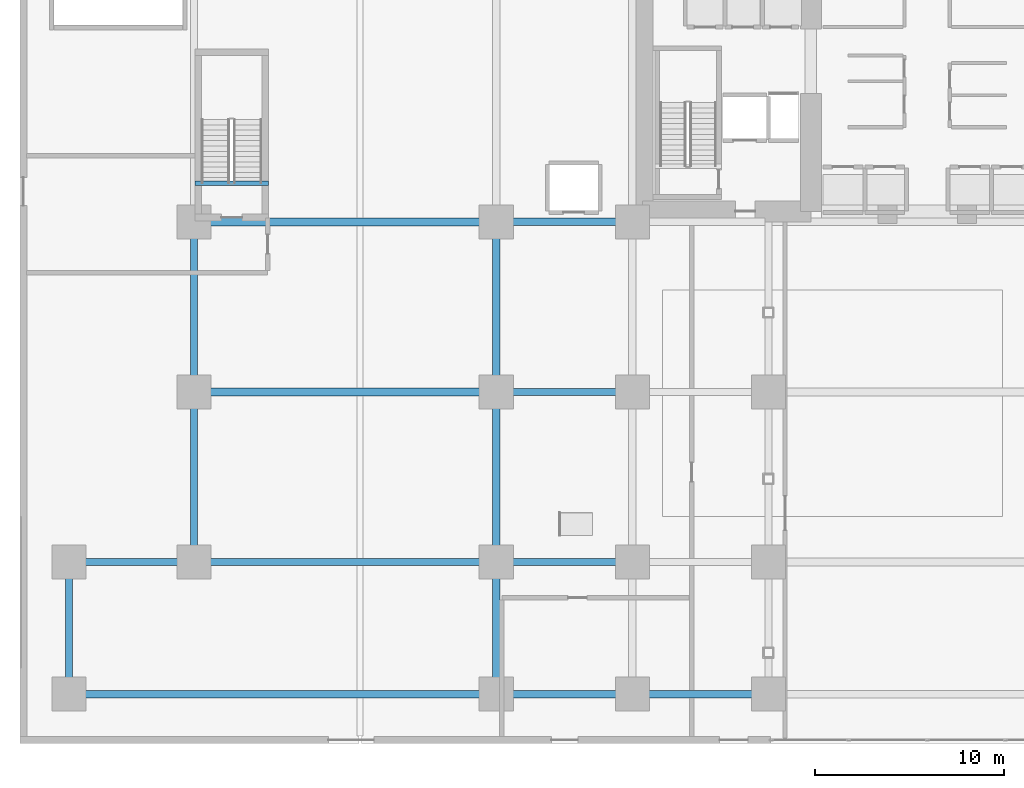
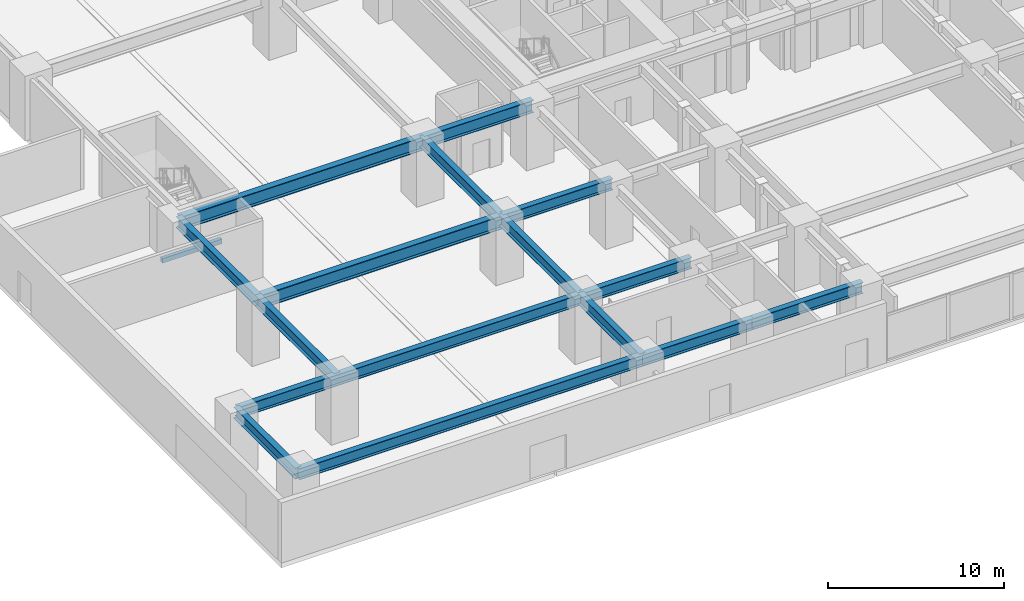
# One storey, part 4 of 26: 16 beams.
"""IFC4 building model written with IfcOpenShell, lengths in metres."""

import ifcopenshell
import ifcopenshell.guid

model = None  # the IFC model being written
_history = None  # IfcOwnerHistory: only IFC2X3 demands one
_inside = {}  # id of a spatial element -> (the spatial element, [elements in it])
_under = {}  # id of a project, library or spatial element -> (it, [spatial elements below it])
_declared = {}  # id of a project -> (the project, [libraries it declares])
_typed = {}  # id of a type object -> (the type object, [elements of that type])
_made_of = {}  # id of a material, layer set ... -> (it, [elements and type objects made of it])


def new_model(schema):
    """Start an empty IFC model of exactly this schema.

    Asked for "IFC4X3", IfcOpenShell would pick the latest addendum, in which some entities
    have other attributes; the version numbers below select the first issue.
    IFC2X3 requires an IfcOwnerHistory on every rooted entity: one is made here for all.
    """
    global model, _history
    if schema == "IFC4X3":
        model = ifcopenshell.file(schema_version=(4, 3, 0, 0))
    else:
        model = ifcopenshell.file(schema=schema)
    _inside.clear()
    _under.clear()
    _declared.clear()
    _typed.clear()
    _made_of.clear()
    _history = None
    if model.schema == "IFC2X3":
        org = make("IfcOrganization", Name="unknown")
        user = make(
            "IfcPersonAndOrganization",
            ThePerson=make("IfcPerson", FamilyName="unknown"),
            TheOrganization=org,
        )
        app = make(
            "IfcApplication",
            ApplicationDeveloper=org,
            Version="unknown",
            ApplicationFullName="unknown",
            ApplicationIdentifier="unknown",
        )
        _history = make(
            "IfcOwnerHistory",
            OwningUser=user,
            OwningApplication=app,
            ChangeAction="ADDED",
            CreationDate=0,
        )
    return model


def make(cls, **values):
    """One entity of the class cls with the attributes given. An attribute that is None is left unset."""
    return model.create_entity(
        cls, **{name: value for name, value in values.items() if value is not None}
    )


def rooted(cls, **values):
    """An entity with a GlobalId (a new one), such as an element, a storey or a relation."""
    return make(cls, GlobalId=ifcopenshell.guid.new(), OwnerHistory=_history, **values)


def si_unit(unit_type, name, prefix=None):
    """IfcSIUnit, for example si_unit("LENGTHUNIT", "METRE", prefix="MILLI")."""
    return make("IfcSIUnit", UnitType=unit_type, Prefix=prefix, Name=name)


def assignment(units):
    """IfcUnitAssignment: the units of a project."""
    return None if units is None else make("IfcUnitAssignment", Units=units)


def point(xyz):
    """IfcCartesianPoint."""
    return None if xyz is None else make("IfcCartesianPoint", Coordinates=xyz)


def direction(xyz):
    """IfcDirection."""
    return None if xyz is None else make("IfcDirection", DirectionRatios=xyz)


def frame(location, z_axis=None, x_axis=None):
    """IfcAxis2Placement3D, a coordinate frame: its origin and axes. An axis left out is left unset."""
    return make(
        "IfcAxis2Placement3D",
        Location=point(location),
        Axis=direction(z_axis),
        RefDirection=direction(x_axis),
    )


def frame_2d(location, x_axis=None):
    """IfcAxis2Placement2D, a coordinate frame in the plane: its origin and x axis."""
    return make(
        "IfcAxis2Placement2D", Location=point(location), RefDirection=direction(x_axis)
    )


def origin():
    """The frame at (0, 0, 0) with its axes left unset."""
    return frame((0.0, 0.0, 0.0))


def origin_2d():
    """The frame at (0, 0) in the plane with its x axis left unset."""
    return frame_2d((0.0, 0.0))


def place(relative_to, where):
    """IfcLocalPlacement: puts the frame where relative to a parent placement (None: the world)."""
    return make(
        "IfcLocalPlacement", PlacementRelTo=relative_to, RelativePlacement=where
    )


def context(
    kind, dimensions, precision=None, world=None, true_north=None, identifier=None
):
    """IfcGeometricRepresentationContext, for example the 3D "Model" context."""
    return make(
        "IfcGeometricRepresentationContext",
        ContextIdentifier=identifier,
        ContextType=kind,
        CoordinateSpaceDimension=dimensions,
        Precision=precision,
        WorldCoordinateSystem=world,
        TrueNorth=true_north,
    )


def subcontext(parent, identifier, kind, view, scale=None):
    """IfcGeometricRepresentationSubContext, for example "Body" below "Model"."""
    return make(
        "IfcGeometricRepresentationSubContext",
        ContextIdentifier=identifier,
        ContextType=kind,
        ParentContext=parent,
        TargetScale=scale,
        TargetView=view,
    )


def project(units=None, contexts=None):
    """IfcProject with its units and contexts."""
    return rooted(
        "IfcProject",
        Name="project",
        RepresentationContexts=contexts,
        UnitsInContext=assignment(units),
    )


def spatial(cls, under=None, at=None, **own):
    """A site, building, storey or space (cls), placed at a placement, below another one or the project."""
    s = rooted(cls, ObjectPlacement=at, **own)
    if under is not None:
        _under.setdefault(under.id(), (under, []))[1].append(s)
    return s


def profile(cls, at=None, kind="AREA", **sizes):
    """A parametric profile (cls). Its sizes go by their IFC names, for example OverallWidth=200.0."""
    return make(cls, ProfileType=kind, Position=at, **sizes)


def rectangle(**sizes):
    """IfcRectangleProfileDef."""
    return profile("IfcRectangleProfileDef", **sizes)


def i_section(**sizes):
    """IfcIShapeProfileDef."""
    return profile("IfcIShapeProfileDef", **sizes)


def extrude(swept, where, along, depth):
    """IfcExtrudedAreaSolid: the profile swept, set in the frame where, extruded along a direction by depth."""
    return make(
        "IfcExtrudedAreaSolid",
        SweptArea=swept,
        Position=where,
        ExtrudedDirection=direction(along),
        Depth=depth,
    )


def shape(context_of_items, identifier, shape_type, items):
    """IfcShapeRepresentation: the items that make up one representation, for example the "Body"."""
    return make(
        "IfcShapeRepresentation",
        ContextOfItems=context_of_items,
        RepresentationIdentifier=identifier,
        RepresentationType=shape_type,
        Items=items,
    )


def material(Name=None, Category=None):
    """IfcMaterial."""
    return make("IfcMaterial", Name=Name, Category=Category)


def material_profile(
    of_material, cross_section, Name=None, Category=None, Priority=None
):
    """IfcMaterialProfile: a cross section and its material."""
    return make(
        "IfcMaterialProfile",
        Name=Name,
        Material=of_material,
        Profile=cross_section,
        Priority=Priority,
        Category=Category,
    )


def profile_set(profiles, Name=None, composite=None):
    """IfcMaterialProfileSet."""
    return make(
        "IfcMaterialProfileSet",
        Name=Name,
        MaterialProfiles=profiles,
        CompositeProfile=composite,
    )


def made_of(thing, what):
    """Note that an element or type object is made of a material, layer set ...; save() writes the relation."""
    if what is not None:
        _made_of.setdefault(what.id(), (what, []))[1].append(thing)
    return thing


def type_object(cls, material=None, **own):
    """A type object (cls), such as IfcWallType, which elements share."""
    return made_of(rooted(cls, **own), material)


def element(
    cls,
    number,
    at=None,
    inside=None,
    cuts=None,
    type_object=None,
    material=None,
    context=None,
    identifier="Body",
    shape_type=None,
    held_by="IfcProductDefinitionShape",
    body=None,
    shapes=None,
    **own,
):
    """One element of the class cls, such as IfcWall. Its Tag is "e" and its number.

    at: its placement. inside: the storey or other place that contains it. cuts: it is an
    opening in that element (IfcRelVoidsElement). A single representation is given by context,
    identifier, shape_type and body (its items); several are given by shapes. held_by: the class
    of the entity that holds the representations. save() writes the other relations.
    """
    e = rooted(cls, Tag="e%d" % number, ObjectPlacement=at, **own)
    if body is not None:
        shapes = [shape(context, identifier, shape_type, body)]
    if shapes is not None:
        e.Representation = make(held_by, Representations=shapes)
    if inside is not None:
        _inside.setdefault(inside.id(), (inside, []))[1].append(e)
    if cuts is not None:
        rooted(
            "IfcRelVoidsElement", RelatingBuildingElement=cuts, RelatedOpeningElement=e
        )
    if type_object is not None:
        _typed.setdefault(type_object.id(), (type_object, []))[1].append(e)
    return made_of(e, material)


def aggregate(whole, parts):
    """IfcRelAggregates: a whole, such as a stair, and the parts it consists of."""
    return rooted("IfcRelAggregates", RelatingObject=whole, RelatedObjects=parts)


def save(model, path):
    """Write the relations noted so far, then the file.

    IfcRelAggregates (storeys below a building ...), IfcRelContainedInSpatialStructure (elements
    in a storey), IfcRelDefinesByType, IfcRelAssociatesMaterial and IfcRelDeclares: one each for
    every whole, place, type object, material and project.
    """
    for whole, parts in _under.values():
        aggregate(whole, parts)
    for where, things in _inside.values():
        rooted(
            "IfcRelContainedInSpatialStructure",
            RelatedElements=things,
            RelatingStructure=where,
        )
    for kind, things in _typed.values():
        rooted("IfcRelDefinesByType", RelatedObjects=things, RelatingType=kind)
    for what, things in _made_of.values():
        rooted("IfcRelAssociatesMaterial", RelatedObjects=things, RelatingMaterial=what)
    for by, libraries in _declared.values():
        rooted("IfcRelDeclares", RelatingContext=by, RelatedDefinitions=libraries)
    model.write(path)


model = new_model("IFC4")

# Units and contexts
model_context = context("Model", 3, precision=1e-05, world=origin(), true_north=direction((0.0, 1.0)))
body_context = subcontext(model_context, "Body", "Model", "MODEL_VIEW")
ifc_project = project(units=[si_unit("LENGTHUNIT", "METRE"), si_unit("AREAUNIT", "SQUARE_METRE"), si_unit("VOLUMEUNIT", "CUBIC_METRE"), si_unit("PLANEANGLEUNIT", "RADIAN"), si_unit("MASSUNIT", "GRAM", prefix="KILO")], contexts=[model_context])

# Site, building, storey
site_placement = place(None, origin())
site = spatial("IfcSite", under=ifc_project, at=site_placement, CompositionType="ELEMENT")
building_placement = place(site_placement, origin())
building = spatial("IfcBuilding", under=site, at=building_placement, Name="Kiyonajd Concourse Tower", CompositionType="ELEMENT")
storey_placement = place(building_placement, origin())
storey = spatial("IfcBuildingStorey", under=building, at=storey_placement, Name="L01", CompositionType="ELEMENT", Elevation=0.0)

# Beams
ifc_material_1 = material(Name="Steel ASTM A992 Grade 50", Category="steel")
ifc_material_profile_1 = material_profile(ifc_material_1, i_section(OverallWidth=0.423095703125, OverallDepth=0.93310546875, WebThickness=0.02392578125, FlangeThickness=0.042724609375, at=origin_2d()), Name="W920X446")
ifc_profile_set_1 = profile_set([ifc_material_profile_1], Name="Steel ASTM A992 Grade 50")
beam_type_1 = type_object("IfcBeamType", Name="BM-AUD-920A", PredefinedType="BEAM", material=ifc_profile_set_1)
for number, where, z_axis, x_axis, name in (
    (1, (9.199951171875, 18.60009765625, 3.71337890625), (1.0, 0.0, 0.0), (0.0, 1.0, 0.0), "L01 Auditorium Clear Span Girder"),
    (2, (9.199951171875, 27.60009765625, 3.71337890625), (1.0, 0.0, 0.0), (0.0, 1.0, 0.0), "L01 Auditorium Clear Span Girder"),
):
    element("IfcBeam", number, at=place(storey_placement, frame(where, z_axis=z_axis, x_axis=x_axis)), inside=storey, type_object=beam_type_1, Name=name, PredefinedType="BEAM", context=body_context, shape_type="SweptSolid", body=[
        extrude(i_section(OverallWidth=0.423095703125, OverallDepth=0.93310546875, WebThickness=0.02392578125, FlangeThickness=0.042724609375, at=origin_2d()), origin(), (0.0, 0.0, 1.0), 16.0),
    ])
ifc_material_2 = material(Name="Concrete C50/60", Category="concrete")
ifc_material_profile_2 = material_profile(ifc_material_2, rectangle(XDim=0.239990234375, YDim=0.320068359375, at=origin_2d()), Name="RCBM-240x320")
ifc_profile_set_2 = profile_set([ifc_material_profile_2], Name="Concrete C50/60")
beam_type_2 = type_object("IfcBeamType", Name="BM-LNT-250", PredefinedType="LINTEL", material=ifc_profile_set_2)
beam_1_placement = place(storey_placement, frame((9.25, 29.6298828125, -0.159912109375), z_axis=(1.0, 0.0, 0.0), x_axis=(0.0, 1.0, 0.0)))
element("IfcBeam", 3, at=beam_1_placement, inside=storey, type_object=beam_type_2, Name="L01 Stair ST4 Threshold Support Beam", PredefinedType="LINTEL", context=body_context, shape_type="SweptSolid", body=[
    extrude(rectangle(XDim=0.239990234375, YDim=0.320068359375, at=origin_2d()), origin(), (0.0, 0.0, 1.0), 3.89990234375),
])
ifc_material_profile_3 = material_profile(ifc_material_1, i_section(OverallWidth=0.381103515625, OverallDepth=0.77294921875, WebThickness=0.0166015625, FlangeThickness=0.027099609375, at=origin_2d()), Name="W760X257")
ifc_profile_set_3 = profile_set([ifc_material_profile_3], Name="Steel ASTM A992 Grade 50")
beam_type_3 = type_object("IfcBeamType", Name="BM-POD-760", PredefinedType="BEAM", material=ifc_profile_set_3)
beam_2_placement = place(storey_placement, frame((2.60009765625, 2.60009765625, 3.79345703125), z_axis=(1.0, 0.0, 0.0), x_axis=(0.0, 1.0, 0.0)))
element("IfcBeam", 4, at=beam_2_placement, inside=storey, type_object=beam_type_3, Name="L01 Podium Primary Beam", PredefinedType="BEAM", context=body_context, shape_type="SweptSolid", body=[
    extrude(i_section(OverallWidth=0.381103515625, OverallDepth=0.77294921875, WebThickness=0.0166015625, FlangeThickness=0.027099609375, at=origin_2d()), origin(), (0.0, 0.0, 1.0), 22.599853515625),
])
beam_3_placement = place(storey_placement, frame((25.199951171875, 2.60009765625, 3.79345703125), z_axis=(1.0, 0.0, 0.0), x_axis=(0.0, 1.0, 0.0)))
element("IfcBeam", 5, at=beam_3_placement, inside=storey, type_object=beam_type_3, Name="L01 Podium Primary Beam", PredefinedType="BEAM", context=body_context, shape_type="SweptSolid", body=[
    extrude(i_section(OverallWidth=0.381103515625, OverallDepth=0.77294921875, WebThickness=0.0166015625, FlangeThickness=0.027099609375, at=origin_2d()), origin(), (0.0, 0.0, 1.0), 7.199951171875),
])
beam_4_placement = place(storey_placement, frame((32.39990234375, 2.60009765625, 3.79345703125), z_axis=(1.0, 0.0, 0.0), x_axis=(0.0, 1.0, 0.0)))
element("IfcBeam", 6, at=beam_4_placement, inside=storey, type_object=beam_type_3, Name="L01 Podium Primary Beam", PredefinedType="BEAM", context=body_context, shape_type="SweptSolid", body=[
    extrude(i_section(OverallWidth=0.381103515625, OverallDepth=0.77294921875, WebThickness=0.0166015625, FlangeThickness=0.027099609375, at=origin_2d()), origin(), (0.0, 0.0, 1.0), 7.2001953125),
])
beam_5_placement = place(storey_placement, frame((2.60009765625, 9.60009765625, 3.79345703125), z_axis=(1.0, 0.0, 0.0), x_axis=(0.0, 1.0, 0.0)))
element("IfcBeam", 7, at=beam_5_placement, inside=storey, type_object=beam_type_3, Name="L01 Podium Primary Beam", PredefinedType="BEAM", context=body_context, shape_type="SweptSolid", body=[
    extrude(i_section(OverallWidth=0.381103515625, OverallDepth=0.77294921875, WebThickness=0.0166015625, FlangeThickness=0.027099609375, at=origin_2d()), origin(), (0.0, 0.0, 1.0), 22.599853515625),
])
for number, where, z_axis, x_axis, name in (
    (8, (25.199951171875, 9.60009765625, 3.79345703125), (1.0, 0.0, 0.0), (0.0, 1.0, 0.0), "L01 Podium Primary Beam"),
    (9, (25.199951171875, 18.60009765625, 3.79345703125), (1.0, 0.0, 0.0), (0.0, 1.0, 0.0), "L01 Podium Primary Beam"),
):
    element("IfcBeam", number, at=place(storey_placement, frame(where, z_axis=z_axis, x_axis=x_axis)), inside=storey, type_object=beam_type_3, Name=name, PredefinedType="BEAM", context=body_context, shape_type="SweptSolid", body=[
        extrude(i_section(OverallWidth=0.381103515625, OverallDepth=0.77294921875, WebThickness=0.0166015625, FlangeThickness=0.027099609375, at=origin_2d()), origin(), (0.0, 0.0, 1.0), 7.199951171875),
    ])
beam_6_placement = place(storey_placement, frame((2.60009765625, 2.60009765625, 3.79345703125), z_axis=(0.0, 1.0, 0.0), x_axis=(-1.0, 0.0, 0.0)))
element("IfcBeam", 10, at=beam_6_placement, inside=storey, type_object=beam_type_3, Name="L01 Podium North South Beam", PredefinedType="BEAM", context=body_context, shape_type="SweptSolid", body=[
    extrude(i_section(OverallWidth=0.381103515625, OverallDepth=0.77294921875, WebThickness=0.0166015625, FlangeThickness=0.027099609375, at=origin_2d()), origin(), (0.0, 0.0, 1.0), 7.0),
])
for number, where, z_axis, x_axis, name in (
    (11, (9.199951171875, 9.60009765625, 3.79345703125), (0.0, 1.0, 0.0), (-1.0, 0.0, 0.0), "L01 Podium North South Beam"),
    (12, (9.199951171875, 18.60009765625, 3.79345703125), (0.0, 1.0, 0.0), (-1.0, 0.0, 0.0), "L01 Podium North South Beam"),
):
    element("IfcBeam", number, at=place(storey_placement, frame(where, z_axis=z_axis, x_axis=x_axis)), inside=storey, type_object=beam_type_3, Name=name, PredefinedType="BEAM", context=body_context, shape_type="SweptSolid", body=[
        extrude(i_section(OverallWidth=0.381103515625, OverallDepth=0.77294921875, WebThickness=0.0166015625, FlangeThickness=0.027099609375, at=origin_2d()), origin(), (0.0, 0.0, 1.0), 9.0),
    ])
beam_7_placement = place(storey_placement, frame((25.199951171875, 2.60009765625, 3.79345703125), z_axis=(0.0, 1.0, 0.0), x_axis=(-1.0, 0.0, 0.0)))
element("IfcBeam", 13, at=beam_7_placement, inside=storey, type_object=beam_type_3, Name="L01 Podium North South Beam", PredefinedType="BEAM", context=body_context, shape_type="SweptSolid", body=[
    extrude(i_section(OverallWidth=0.381103515625, OverallDepth=0.77294921875, WebThickness=0.0166015625, FlangeThickness=0.027099609375, at=origin_2d()), origin(), (0.0, 0.0, 1.0), 7.0),
])
for number, where, z_axis, x_axis, name in (
    (14, (25.199951171875, 9.60009765625, 3.79345703125), (0.0, 1.0, 0.0), (-1.0, 0.0, 0.0), "L01 Podium North South Beam"),
    (15, (25.199951171875, 18.60009765625, 3.79345703125), (0.0, 1.0, 0.0), (-1.0, 0.0, 0.0), "L01 Podium North South Beam"),
):
    element("IfcBeam", number, at=place(storey_placement, frame(where, z_axis=z_axis, x_axis=x_axis)), inside=storey, type_object=beam_type_3, Name=name, PredefinedType="BEAM", context=body_context, shape_type="SweptSolid", body=[
        extrude(i_section(OverallWidth=0.381103515625, OverallDepth=0.77294921875, WebThickness=0.0166015625, FlangeThickness=0.027099609375, at=origin_2d()), origin(), (0.0, 0.0, 1.0), 9.0),
    ])
ifc_material_profile_4 = material_profile(ifc_material_1, i_section(OverallWidth=0.39990234375, OverallDepth=0.85498046875, WebThickness=0.018310546875, FlangeThickness=0.029296875, at=origin_2d()), Name="W840X299")
ifc_profile_set_4 = profile_set([ifc_material_profile_4], Name="Steel ASTM A992 Grade 50")
beam_type_4 = type_object("IfcBeamType", Name="BM-POD-840", PredefinedType="BEAM", material=ifc_profile_set_4)
beam_8_placement = place(storey_placement, frame((25.199951171875, 27.60009765625, 3.75244140625), z_axis=(1.0, 0.0, 0.0), x_axis=(0.0, 1.0, 0.0)))
element("IfcBeam", 16, at=beam_8_placement, inside=storey, type_object=beam_type_4, Name="L01 Podium Primary Beam", PredefinedType="BEAM", context=body_context, shape_type="SweptSolid", body=[
    extrude(i_section(OverallWidth=0.39990234375, OverallDepth=0.85498046875, WebThickness=0.018310546875, FlangeThickness=0.029296875, at=origin_2d()), origin(), (0.0, 0.0, 1.0), 7.199951171875),
])

save(model, "model.ifc")
